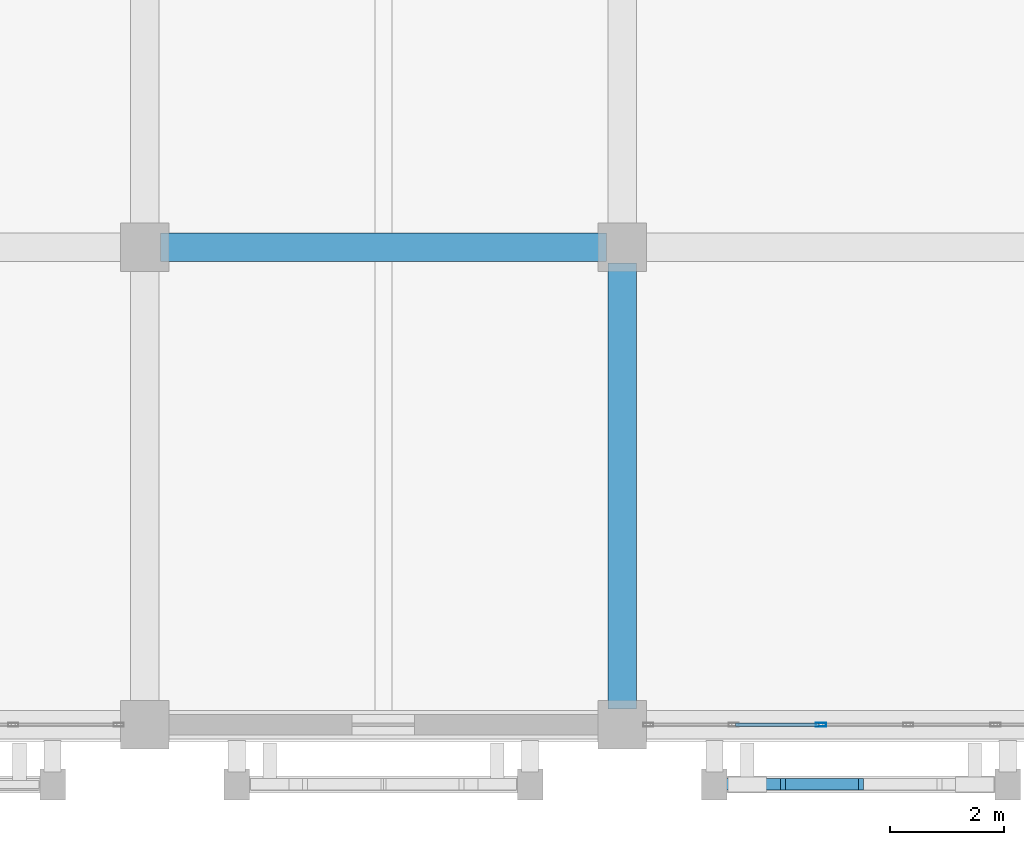
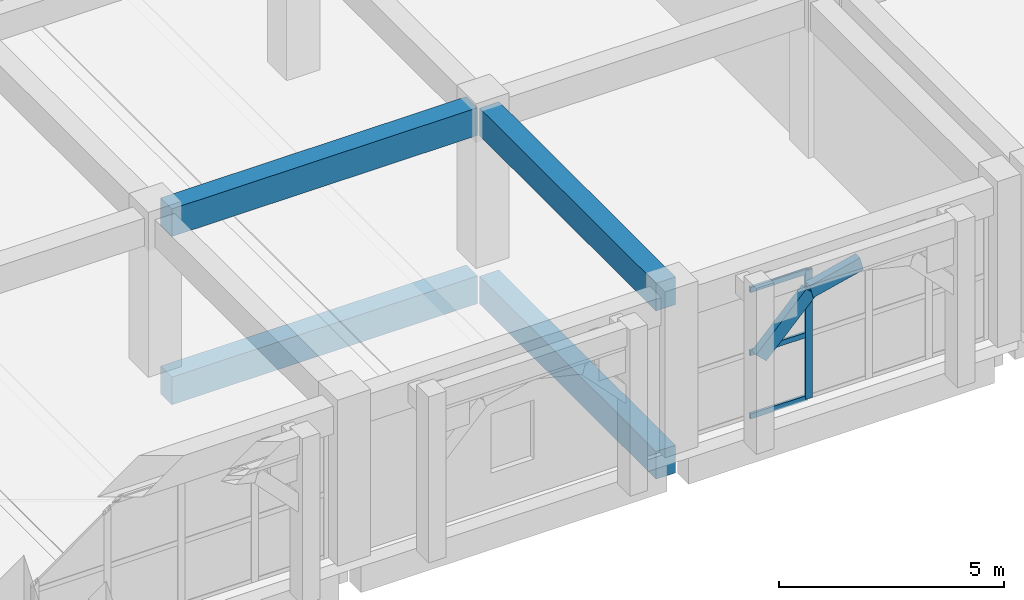
# One storey, part 12 of 129: 6 members, 4 beams, 1 element without a shape of its own.
"""IFC4 building model written with IfcOpenShell, lengths in metres."""

from ifc_helpers import new_model, si_unit, direction, frame, origin, origin_2d, place, context, subcontext, project, spatial, rectangle, hollow_rectangle, extrude, material, layer, layer_set, material_profile, profile_set, type_object, element, aggregate, save


model = new_model("IFC4")

# Units and contexts
model_context = context("Model", 3, precision=1e-05, world=origin(), true_north=direction((0.0, 1.0)))
body_context = subcontext(model_context, "Body", "Model", "MODEL_VIEW")
ifc_project = project(units=[si_unit("LENGTHUNIT", "METRE"), si_unit("AREAUNIT", "SQUARE_METRE"), si_unit("VOLUMEUNIT", "CUBIC_METRE"), si_unit("PLANEANGLEUNIT", "RADIAN"), si_unit("MASSUNIT", "GRAM", prefix="KILO")], contexts=[model_context])

# Site, building, storey
site_placement = place(None, origin())
site = spatial("IfcSite", under=ifc_project, at=site_placement, CompositionType="ELEMENT")
building_placement = place(site_placement, origin())
building = spatial("IfcBuilding", under=site, at=building_placement, Name="Xazarin Passage Department Store", CompositionType="ELEMENT")
storey_placement = place(building_placement, frame((0.0, 0.0, 9.89990234375)))
storey = spatial("IfcBuildingStorey", under=building, at=storey_placement, Name="L02", CompositionType="ELEMENT", Elevation=9.89990234375)

# Curtain wall, members
ifc_material_1 = material(Name="Bronze anodised aluminium", Category="aluminium")
ifc_layer = layer(ifc_material_1, 0.18994140625)
ifc_layer_set = layer_set([ifc_layer], Name="Bronze anodised aluminium")
curtain_wall_type = type_object("IfcCurtainWallType", Name="ARC-CW-FDH1", PredefinedType="NOTDEFINED", material=ifc_layer_set)
curtain_wall_placement = place(storey_placement, origin())
curtain_wall = element("IfcCurtainWall", 1, at=curtain_wall_placement, inside=storey, type_object=curtain_wall_type, Name="L02 V3 Curtain Wall 133", PredefinedType="NOTDEFINED")
ifc_material_profile_1 = material_profile(ifc_material_1, hollow_rectangle(XDim=0.06494140625, YDim=0.179931640625, WallThickness=0.00390625, at=origin_2d()), Name="ALU 65x180")
ifc_profile_set_1 = profile_set([ifc_material_profile_1], Name="Bronze anodised aluminium")
member_type_1 = type_object("IfcMemberType", Name="ARC-CWM-65x180", PredefinedType="MULLION", material=ifc_profile_set_1)
member_1_placement = place(storey_placement, frame((62.294921875, 0.0, 0.0), z_axis=(0.0, 0.0, 1.0), x_axis=(0.0, 1.0, 0.0)))
member_1 = element("IfcMember", 2, at=member_1_placement, type_object=member_type_1, Name="CW5 mullion 3", PredefinedType="MULLION", context=body_context, shape_type="SweptSolid", body=[
    extrude(hollow_rectangle(XDim=0.06494140625, YDim=0.179931640625, WallThickness=0.00390625, at=origin_2d()), origin(), (0.0, 0.0, 1.0), 3.489990234375),
])
ifc_material_profile_2 = material_profile(ifc_material_1, hollow_rectangle(XDim=0.06494140625, YDim=0.139892578125, WallThickness=0.00390625, at=origin_2d()), Name="ALU 65x140")
ifc_profile_set_2 = profile_set([ifc_material_profile_2], Name="Bronze anodised aluminium")
member_type_2 = type_object("IfcMemberType", Name="ARC-CWT-65x140", PredefinedType="USERDEFINED", material=ifc_profile_set_2)
member_2_placement = place(storey_placement, frame((60.79248046875, 0.0, 0.03271484375), z_axis=(1.0, 0.0, 0.0), x_axis=(0.0, 1.0, 0.0)))
member_2 = element("IfcMember", 3, at=member_2_placement, type_object=member_type_2, Name="CW5 transom 2.1", ObjectType="TRANSOM", PredefinedType="USERDEFINED", context=body_context, shape_type="SweptSolid", body=[
    extrude(hollow_rectangle(XDim=0.06494140625, YDim=0.139892578125, WallThickness=0.00390625, at=origin_2d()), origin(), (0.0, 0.0, 1.0), 1.469970703125),
])
member_3_placement = place(storey_placement, frame((60.79248046875, 0.0, 1.7451171875), z_axis=(1.0, 0.0, 0.0), x_axis=(0.0, 1.0, 0.0)))
member_3 = element("IfcMember", 4, at=member_3_placement, type_object=member_type_2, Name="CW5 transom 2.2", ObjectType="TRANSOM", PredefinedType="USERDEFINED", context=body_context, shape_type="SweptSolid", body=[
    extrude(hollow_rectangle(XDim=0.06494140625, YDim=0.139892578125, WallThickness=0.00390625, at=origin_2d()), origin(), (0.0, 0.0, 1.0), 1.469970703125),
])
member_4_placement = place(storey_placement, frame((60.79248046875, 0.0, 3.45751953125), z_axis=(1.0, 0.0, 0.0), x_axis=(0.0, 1.0, 0.0)))
member_4 = element("IfcMember", 5, at=member_4_placement, type_object=member_type_2, Name="CW5 transom 2.3", ObjectType="TRANSOM", PredefinedType="USERDEFINED", context=body_context, shape_type="SweptSolid", body=[
    extrude(hollow_rectangle(XDim=0.06494140625, YDim=0.139892578125, WallThickness=0.00390625, at=origin_2d()), origin(), (0.0, 0.0, 1.0), 1.469970703125),
])
aggregate(curtain_wall, [member_1, member_2, member_3, member_4])

# Beams
ifc_material_2 = material(Name="Concrete C35/45", Category="concrete")
ifc_material_profile_3 = material_profile(ifc_material_2, rectangle(XDim=0.5, YDim=0.75, at=origin_2d()), Name="RC 500x750")
ifc_profile_set_3 = profile_set([ifc_material_profile_3], Name="Concrete C35/45")
beam_type = type_object("IfcBeamType", Name="STR-BM-SP500x750", PredefinedType="SPANDREL", material=ifc_profile_set_3)
for number, where, z_axis, x_axis, name in (
    (6, (50.679931640625, 8.39990234375, -0.69482421875), (1.0, 0.0, 0.0), (0.0, 1.0, 0.0), "L02 Grid Beam B/7-8"),
    (7, (58.800048828125, 0.280029296875, -0.69482421875), (0.0, 1.0, 0.0), (-1.0, 0.0, 0.0), "L02 Grid Beam 8/A-B"),
    (8, (50.679931640625, 8.39990234375, 3.864990234375), (1.0, 0.0, 0.0), (0.0, 1.0, 0.0), "L02 Grid Beam B/7-8"),
    (9, (58.800048828125, 0.280029296875, 3.864990234375), (0.0, 1.0, 0.0), (-1.0, 0.0, 0.0), "L02 Grid Beam 8/A-B"),
):
    element("IfcBeam", number, at=place(storey_placement, frame(where, z_axis=z_axis, x_axis=x_axis)), inside=storey, type_object=beam_type, Name=name, PredefinedType="SPANDREL", context=body_context, shape_type="SweptSolid", body=[
        extrude(rectangle(XDim=0.5, YDim=0.75, at=origin_2d()), origin(), (0.0, 0.0, 1.0), 7.840087890625),
    ])

# Members
ifc_material_3 = material(Name="Concrete C40/50", Category="concrete")
ifc_material_profile_4 = material_profile(ifc_material_3, rectangle(XDim=0.199951171875, YDim=0.360107421875, at=origin_2d()), Name="RC 200x360")
ifc_profile_set_4 = profile_set([ifc_material_profile_4], Name="Concrete C40/50")
member_type_3 = type_object("IfcMemberType", Name="STR-MEM-ARC360", PredefinedType="CHORD", material=ifc_profile_set_4)
member_5_placement = place(storey_placement, frame((60.419921875, -1.050048828125, 2.43017578125), z_axis=(0.693460080602, 0.0, 0.720495049679), x_axis=(0.0, 1.0, 0.0)))
element("IfcMember", 10, at=member_5_placement, inside=storey, type_object=member_type_3, Name="L02 V3 Pierced Lattice Curved Arch 033.1", PredefinedType="CHORD", context=body_context, shape_type="SweptSolid", body=[
    extrude(rectangle(XDim=0.199951171875, YDim=0.360107421875, at=origin_2d()), origin(), (0.0, 0.0, 1.0), 1.8603515625),
])
member_6_placement = place(storey_placement, frame((61.7099609375, -1.050048828125, 3.7705078125), z_axis=(0.972393983317, 0.0, 0.233345111818), x_axis=(0.0, 1.0, 0.0)))
element("IfcMember", 11, at=member_6_placement, inside=storey, type_object=member_type_3, Name="L02 V3 Pierced Lattice Curved Arch 033.2", PredefinedType="CHORD", context=body_context, shape_type="SweptSolid", body=[
    extrude(rectangle(XDim=0.199951171875, YDim=0.360107421875, at=origin_2d()), origin(), (0.0, 0.0, 1.0), 1.32666015625),
])

save(model, "model.ifc")
